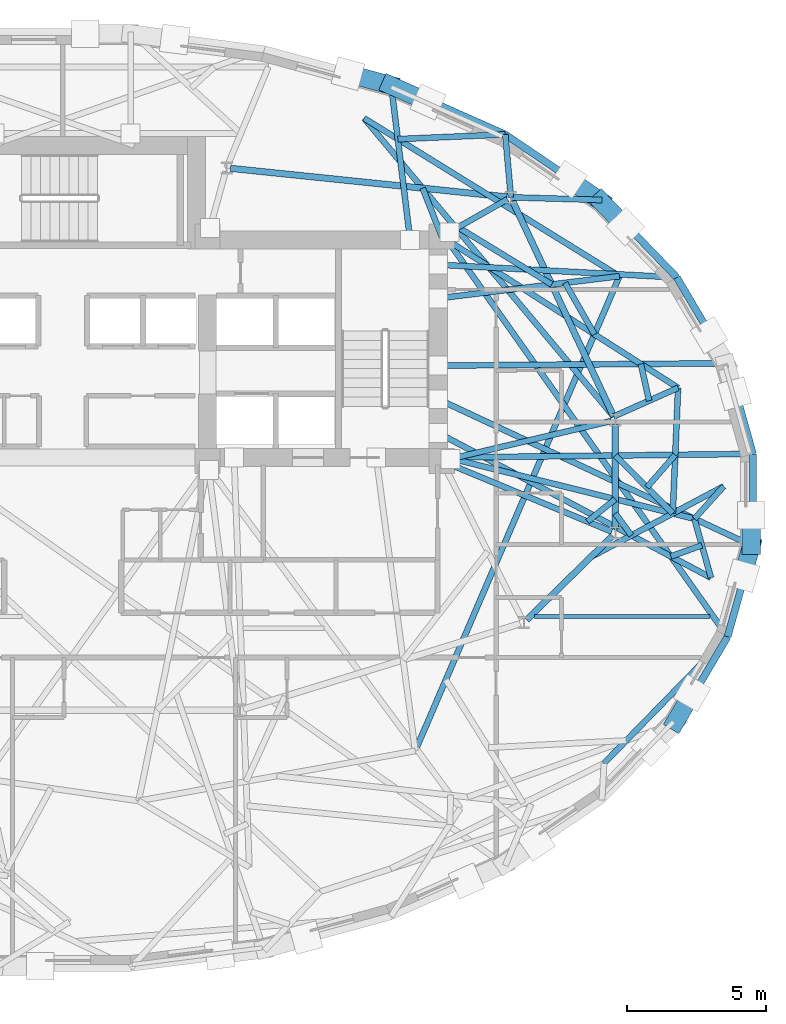
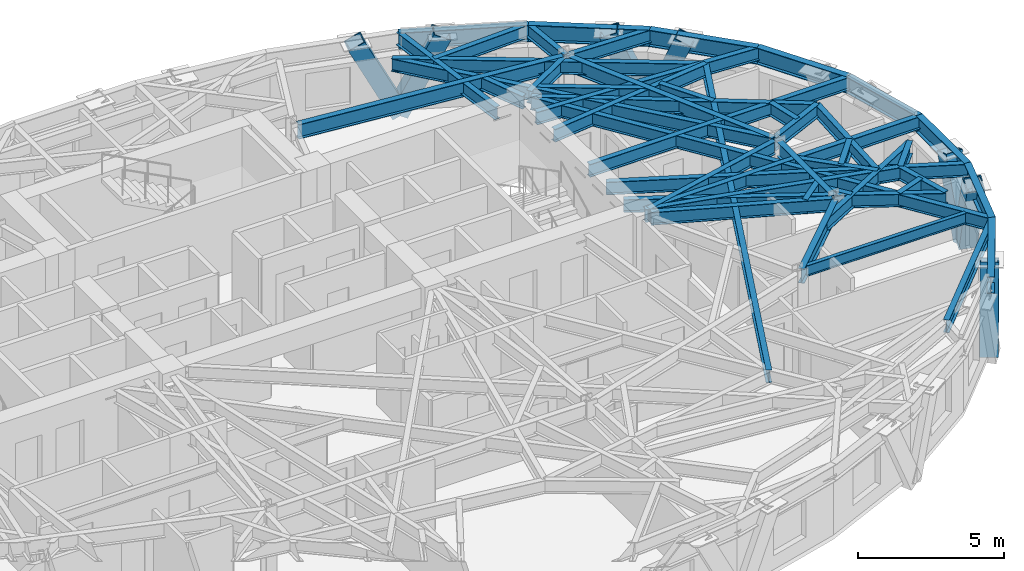
# One storey, part 4 of 15: 47 beams, 7 members.
"""IFC4 building model written with IfcOpenShell, lengths in metres."""

from ifc_helpers import new_model, si_unit, direction, frame, origin, origin_2d, place, context, subcontext, project, spatial, hollow_rectangle, i_section, extrude, material, material_profile, profile_set, type_object, element, save


model = new_model("IFC4")

# Units and contexts
model_context = context("Model", 3, precision=1e-05, world=origin(), true_north=direction((0.0, 1.0)))
body_context = subcontext(model_context, "Body", "Model", "MODEL_VIEW")
ifc_project = project(units=[si_unit("LENGTHUNIT", "METRE"), si_unit("AREAUNIT", "SQUARE_METRE"), si_unit("VOLUMEUNIT", "CUBIC_METRE"), si_unit("PLANEANGLEUNIT", "RADIAN"), si_unit("MASSUNIT", "GRAM", prefix="KILO")], contexts=[model_context])

# Site, building, storey
site_placement = place(None, origin())
site = spatial("IfcSite", under=ifc_project, at=site_placement, CompositionType="ELEMENT")
building_placement = place(site_placement, origin())
building = spatial("IfcBuilding", under=site, at=building_placement, Name="Keldmark Tower", CompositionType="ELEMENT")
storey_placement = place(building_placement, frame((0.0, 0.0, 166.199951171875)))
storey = spatial("IfcBuildingStorey", under=building, at=storey_placement, Name="L45", CompositionType="ELEMENT", Elevation=166.199951171875)

# Beam
ifc_material_1 = material(Name="Steel ASTM A992 Grade 50", Category="steel")
ifc_material_profile_1 = material_profile(ifc_material_1, i_section(OverallWidth=0.153076171875, OverallDepth=0.455078125, WebThickness=0.008056640625, FlangeThickness=0.01318359375, at=origin_2d()), Name="W18X40")
ifc_profile_set_1 = profile_set([ifc_material_profile_1], Name="Steel ASTM A992 Grade 50")
beam_type_1 = type_object("IfcBeamType", Name="Composite Floor Joist W18X40", PredefinedType="JOIST", material=ifc_profile_set_1)
beam_1_placement = place(storey_placement, frame((16.923095703125, -4.179931640625, 2.79248046875), z_axis=(1.0, 0.0, 0.0), x_axis=(0.0, 1.0, 0.0)))
element("IfcBeam", 1, at=beam_1_placement, inside=storey, type_object=beam_type_1, Name="L45 Composite Floor Joist J05", PredefinedType="JOIST", context=body_context, shape_type="SweptSolid", body=[
    extrude(i_section(OverallWidth=0.153076171875, OverallDepth=0.455078125, WebThickness=0.008056640625, FlangeThickness=0.01318359375, at=origin_2d()), origin(), (0.0, 0.0, 1.0), 6.30224609375),
])

# Members
ifc_material_2 = material(Name="Steel ASTM A572 Grade 50", Category="steel")
ifc_material_profile_2 = material_profile(ifc_material_2, hollow_rectangle(XDim=0.64990234375, YDim=0.64990234375, WallThickness=0.0400390625, at=origin_2d()), Name="BOX650X650X40")
ifc_profile_set_2 = profile_set([ifc_material_profile_2], Name="Steel ASTM A572 Grade 50")
member_type = type_object("IfcMemberType", Name="Diagrid Zone 3 Brace BOX650X650X40", PredefinedType="BRACE", material=ifc_profile_set_2)
member_1_placement = place(storey_placement, frame((19.297119140625, 10.736328125, -0.260009765625), z_axis=(0.262394573969, -0.271551200323, 0.92596384009), x_axis=(0.719127207078, 0.694878449832, 0.0)))
element("IfcMember", 2, at=member_1_placement, inside=storey, type_object=member_type, Name="L45 Perimeter Diagrid Brace 02A", PredefinedType="BRACE", context=body_context, shape_type="SweptSolid", body=[
    extrude(hollow_rectangle(XDim=0.64990234375, YDim=0.64990234375, WallThickness=0.0400390625, at=origin_2d()), origin(), (0.0, 0.0, 1.0), 3.412841796875),
])
member_2_placement = place(storey_placement, frame((19.303466796875, 10.7265625, -0.260009765625), z_axis=(-0.334708199095, 0.226883687417, 0.914600576122), x_axis=(-0.56109540076, -0.827751140891, 0.0)))
element("IfcMember", 3, at=member_2_placement, inside=storey, type_object=member_type, Name="L45 Perimeter Diagrid Brace 02B", PredefinedType="BRACE", context=body_context, shape_type="SweptSolid", body=[
    extrude(hollow_rectangle(XDim=0.64990234375, YDim=0.64990234375, WallThickness=0.0400390625, at=origin_2d()), origin(), (0.0, 0.0, 1.0), 3.455322265625),
])
member_3_placement = place(storey_placement, frame((11.74072265625, 14.8916015625, -0.260009765625), z_axis=(0.391037681566, -0.173592799352, 0.903855669678), x_axis=(0.405744700759, 0.913986453842, 0.0)))
element("IfcMember", 4, at=member_3_placement, inside=storey, type_object=member_type, Name="L45 Perimeter Diagrid Brace 03A", PredefinedType="BRACE", context=body_context, shape_type="SweptSolid", body=[
    extrude(hollow_rectangle(XDim=0.64990234375, YDim=0.64990234375, WallThickness=0.0400390625, at=origin_2d()), origin(), (0.0, 0.0, 1.0), 3.496337890625),
])
member_4_placement = place(storey_placement, frame((11.75048828125, 14.88525390625, -0.260009765625), z_axis=(-0.429101150924, 0.11653061412, 0.895707998317), x_axis=(-0.262076941922, -0.965046981506, 0.0)))
element("IfcMember", 5, at=member_4_placement, inside=storey, type_object=member_type, Name="L45 Perimeter Diagrid Brace 03B", PredefinedType="BRACE", context=body_context, shape_type="SweptSolid", body=[
    extrude(hollow_rectangle(XDim=0.64990234375, YDim=0.64990234375, WallThickness=0.0400390625, at=origin_2d()), origin(), (0.0, 0.0, 1.0), 3.528076171875),
])
member_5_placement = place(storey_placement, frame((21.98388671875, -7.956298828125, -0.260009765625), z_axis=(0.17962219143, 0.303875932705, 0.93562561202), x_axis=(-0.860853140724, 0.508853485894, 0.0)))
element("IfcMember", 6, at=member_5_placement, inside=storey, type_object=member_type, Name="L45 Perimeter Diagrid Brace 15B", PredefinedType="BRACE", context=body_context, shape_type="SweptSolid", body=[
    extrude(hollow_rectangle(XDim=0.64990234375, YDim=0.64990234375, WallThickness=0.0400390625, at=origin_2d()), origin(), (0.0, 0.0, 1.0), 3.377685546875),
])
member_6_placement = place(storey_placement, frame((24.70849609375, -1.635986328125, -0.260009765625), z_axis=(-0.090314947271, -0.323197970047, 0.942011827132), x_axis=(0.963103534488, -0.269131161067, 0.0)))
element("IfcMember", 7, at=member_6_placement, inside=storey, type_object=member_type, Name="L45 Perimeter Diagrid Brace 16A", PredefinedType="BRACE", context=body_context, shape_type="SweptSolid", body=[
    extrude(hollow_rectangle(XDim=0.64990234375, YDim=0.64990234375, WallThickness=0.0400390625, at=origin_2d()), origin(), (0.0, 0.0, 1.0), 3.354736328125),
])
member_7_placement = place(storey_placement, frame((24.706298828125, -1.647705078125, -0.260009765625), z_axis=(0.0, 0.329349470628, 0.944208094753), x_axis=(-1.0, 0.0, 0.0)))
element("IfcMember", 8, at=member_7_placement, inside=storey, type_object=member_type, Name="L45 Perimeter Diagrid Brace 16B", PredefinedType="BRACE", context=body_context, shape_type="SweptSolid", body=[
    extrude(hollow_rectangle(XDim=0.64990234375, YDim=0.64990234375, WallThickness=0.0400390625, at=origin_2d()), origin(), (0.0, 0.0, 1.0), 3.346923828125),
])

# Beams
ifc_material_3 = material(Name="Steel ASTM A992 Grade 50", Category="steel")
ifc_material_profile_3 = material_profile(ifc_material_3, i_section(OverallWidth=0.22900390625, OverallDepth=0.612060546875, WebThickness=0.011962890625, FlangeThickness=0.01953125, at=origin_2d()), Name="W24X84")
ifc_profile_set_3 = profile_set([ifc_material_profile_3], Name="Steel ASTM A992 Grade 50")
beam_type_2 = type_object("IfcBeamType", Name="Primary Floor Girder W24X84", PredefinedType="BEAM", material=ifc_profile_set_3)
beam_2_placement = place(storey_placement, frame((19.76904296875, 2.99609375, 2.714111328125), z_axis=(-0.424526823774, 0.905415360979, 0.0), x_axis=(-0.905415360979, -0.424526823774, 0.0)))
element("IfcBeam", 9, at=beam_2_placement, inside=storey, type_object=beam_type_2, Name="L45 Floor Ring Girder FG-R01", PredefinedType="BEAM", context=body_context, shape_type="SweptSolid", body=[
    extrude(i_section(OverallWidth=0.22900390625, OverallDepth=0.612060546875, WebThickness=0.011962890625, FlangeThickness=0.01953125, at=origin_2d()), origin(), (0.0, 0.0, 1.0), 8.54638671875),
])
beam_3_placement = place(storey_placement, frame((15.942138671875, 10.87548828125, 2.714111328125), z_axis=(-0.994702930931, 0.102791435423, 0.0), x_axis=(-0.102791435423, -0.994702930931, 0.0)))
element("IfcBeam", 10, at=beam_3_placement, inside=storey, type_object=beam_type_2, Name="L45 Floor Ring Girder FG-R02", PredefinedType="BEAM", context=body_context, shape_type="SweptSolid", body=[
    extrude(i_section(OverallWidth=0.22900390625, OverallDepth=0.612060546875, WebThickness=0.011962890625, FlangeThickness=0.01953125, at=origin_2d()), origin(), (0.0, 0.0, 1.0), 9.975341796875),
])
beam_4_placement = place(storey_placement, frame((16.646728515625, -4.300537109375, 2.714111328125), z_axis=(0.714964509815, 0.699160746684, 0.0), x_axis=(-0.699160746684, 0.714964509815, 0.0)))
element("IfcBeam", 11, at=beam_4_placement, inside=storey, type_object=beam_type_2, Name="L45 Floor Ring Girder FG-R11", PredefinedType="BEAM", context=body_context, shape_type="SweptSolid", body=[
    extrude(i_section(OverallWidth=0.22900390625, OverallDepth=0.612060546875, WebThickness=0.011962890625, FlangeThickness=0.01953125, at=origin_2d()), origin(), (0.0, 0.0, 1.0), 4.31005859375),
])
beam_5_placement = place(storey_placement, frame((19.828369140625, -1.04931640625, 2.714111328125), z_axis=(0.0, 1.0, 0.0), x_axis=(-1.0, 0.0, 0.0)))
element("IfcBeam", 12, at=beam_5_placement, inside=storey, type_object=beam_type_2, Name="L45 Floor Ring Girder FG-R12", PredefinedType="BEAM", context=body_context, shape_type="SweptSolid", body=[
    extrude(i_section(OverallWidth=0.22900390625, OverallDepth=0.612060546875, WebThickness=0.011962890625, FlangeThickness=0.01953125, at=origin_2d()), origin(), (0.0, 0.0, 1.0), 3.778564453125),
])
ifc_material_4 = material(Name="Steel ASTM A992 Grade 50", Category="steel")
ifc_material_profile_4 = material_profile(ifc_material_4, i_section(OverallWidth=0.2099609375, OverallDepth=0.537109375, WebThickness=0.010986328125, FlangeThickness=0.017333984375, at=origin_2d()), Name="W21X68")
ifc_profile_set_4 = profile_set([ifc_material_profile_4], Name="Steel ASTM A992 Grade 50")
beam_type_3 = type_object("IfcBeamType", Name="Radial Tie Girder W21X68", PredefinedType="BEAM", material=ifc_profile_set_4)
beam_6_placement = place(storey_placement, frame((19.692138671875, 2.837158203125, 2.75146484375), z_axis=(-0.973280062348, -0.229621253887, 0.0), x_axis=(0.229621253887, -0.973280062348, 0.0)))
element("IfcBeam", 13, at=beam_6_placement, inside=storey, type_object=beam_type_3, Name="L45 Floor Radial Girder FG-C01", PredefinedType="BEAM", context=body_context, shape_type="SweptSolid", body=[
    extrude(i_section(OverallWidth=0.2099609375, OverallDepth=0.537109375, WebThickness=0.010986328125, FlangeThickness=0.017333984375, at=origin_2d()), origin(), (0.0, 0.0, 1.0), 5.939208984375),
])
beam_7_placement = place(storey_placement, frame((15.959716796875, 10.791748046875, 2.75146484375), z_axis=(-0.86929527307, -0.494293160197, 0.0), x_axis=(0.494293160197, -0.86929527307, 0.0)))
element("IfcBeam", 14, at=beam_7_placement, inside=storey, type_object=beam_type_3, Name="L45 Floor Radial Girder FG-C02", PredefinedType="BEAM", context=body_context, shape_type="SweptSolid", body=[
    extrude(i_section(OverallWidth=0.2099609375, OverallDepth=0.537109375, WebThickness=0.010986328125, FlangeThickness=0.017333984375, at=origin_2d()), origin(), (0.0, 0.0, 1.0), 2.39453125),
])
beam_8_placement = place(storey_placement, frame((19.69921875, -1.135498046875, 2.75146484375), z_axis=(-0.923393794893, 0.383854008124, 0.0), x_axis=(-0.383854008124, -0.923393794893, 0.0)))
element("IfcBeam", 15, at=beam_8_placement, inside=storey, type_object=beam_type_3, Name="L45 Floor Radial Girder FG-C12", PredefinedType="BEAM", context=body_context, shape_type="SweptSolid", body=[
    extrude(i_section(OverallWidth=0.2099609375, OverallDepth=0.537109375, WebThickness=0.010986328125, FlangeThickness=0.017333984375, at=origin_2d()), origin(), (0.0, 0.0, 1.0), 6.28515625),
])
beam_9_placement = place(storey_placement, frame((18.82861328125, -0.773681640625, 2.75146484375), z_axis=(0.779288200564, 0.626665700722, 0.0), x_axis=(-0.626665700722, 0.779288200564, 0.0)))
element("IfcBeam", 16, at=beam_9_placement, inside=storey, type_object=beam_type_3, Name="L45 Framing Pin Header PH-002", PredefinedType="BEAM", context=body_context, shape_type="SweptSolid", body=[
    extrude(i_section(OverallWidth=0.2099609375, OverallDepth=0.537109375, WebThickness=0.010986328125, FlangeThickness=0.017333984375, at=origin_2d()), origin(), (0.0, 0.0, 1.0), 1.282958984375),
])
beam_10_placement = place(storey_placement, frame((13.800048828125, 1.52490234375, 2.75146484375), z_axis=(0.970610768192, -0.240654808118, 0.0), x_axis=(0.240654808118, 0.970610768192, 0.0)))
element("IfcBeam", 17, at=beam_10_placement, inside=storey, type_object=beam_type_3, Name="L45 Sub-Ring Step Girder STP1-M12", PredefinedType="BEAM", context=body_context, shape_type="SweptSolid", body=[
    extrude(i_section(OverallWidth=0.2099609375, OverallDepth=0.537109375, WebThickness=0.010986328125, FlangeThickness=0.017333984375, at=origin_2d()), origin(), (0.0, 0.0, 1.0), 9.134521484375),
])
beam_11_placement = place(storey_placement, frame((14.1904296875, 9.78564453125, 2.75146484375), z_axis=(0.853199007527, -0.521585518927, 0.0), x_axis=(0.521585518927, 0.853199007527, 0.0)))
element("IfcBeam", 18, at=beam_11_placement, inside=storey, type_object=beam_type_3, Name="L45 Framing Pin Header PH-003", PredefinedType="BEAM", context=body_context, shape_type="SweptSolid", body=[
    extrude(i_section(OverallWidth=0.2099609375, OverallDepth=0.537109375, WebThickness=0.010986328125, FlangeThickness=0.017333984375, at=origin_2d()), origin(), (0.0, 0.0, 1.0), 3.93505859375),
])
beam_12_placement = place(storey_placement, frame((13.47509765625, 7.235595703125, 2.75146484375), z_axis=(0.992620947645, 0.12125862566, 0.0), x_axis=(-0.12125862566, 0.992620947645, 0.0)))
element("IfcBeam", 19, at=beam_12_placement, inside=storey, type_object=beam_type_3, Name="L45 Sub-Ring Step Girder STP2-M01", PredefinedType="BEAM", context=body_context, shape_type="SweptSolid", body=[
    extrude(i_section(OverallWidth=0.2099609375, OverallDepth=0.537109375, WebThickness=0.010986328125, FlangeThickness=0.017333984375, at=origin_2d()), origin(), (0.0, 0.0, 1.0), 6.549560546875),
])
beam_13_placement = place(storey_placement, frame((13.60009765625, 9.449951171875, 2.75146484375), z_axis=(-0.367288459478, 0.930107083907, 0.0), x_axis=(-0.930107083907, -0.367288459478, 0.0)))
element("IfcBeam", 20, at=beam_13_placement, inside=storey, type_object=beam_type_3, Name="L45 Framing Pin Header PH-004", PredefinedType="BEAM", context=body_context, shape_type="SweptSolid", body=[
    extrude(i_section(OverallWidth=0.2099609375, OverallDepth=0.537109375, WebThickness=0.010986328125, FlangeThickness=0.017333984375, at=origin_2d()), origin(), (0.0, 0.0, 1.0), 1.869140625),
])
beam_14_placement = place(storey_placement, frame((19.76904296875, 2.99609375, 2.75146484375), z_axis=(-0.641759384886, 0.766906051555, 0.0), x_axis=(-0.766906051555, -0.641759384886, 0.0)))
element("IfcBeam", 21, at=beam_14_placement, inside=storey, type_object=beam_type_3, Name="L45 Sub-Ring Step Girder STP2-M02", PredefinedType="BEAM", context=body_context, shape_type="SweptSolid", body=[
    extrude(i_section(OverallWidth=0.2099609375, OverallDepth=0.537109375, WebThickness=0.010986328125, FlangeThickness=0.017333984375, at=origin_2d()), origin(), (0.0, 0.0, 1.0), 13.954345703125),
])
beam_15_placement = place(storey_placement, frame((19.976318359375, 8.02978515625, 2.75146484375), z_axis=(-0.850436056083, 0.526078430003, 0.0), x_axis=(-0.526078430003, -0.850436056083, 0.0)))
element("IfcBeam", 22, at=beam_15_placement, inside=storey, type_object=beam_type_3, Name="L45 Perimeter Collector Ring Beam CRG2-M01", PredefinedType="BEAM", context=body_context, shape_type="SweptSolid", body=[
    extrude(i_section(OverallWidth=0.2099609375, OverallDepth=0.537109375, WebThickness=0.010986328125, FlangeThickness=0.017333984375, at=origin_2d()), origin(), (0.0, 0.0, 1.0), 10.77392578125),
])
beam_16_placement = place(storey_placement, frame((12.649658203125, -9.0029296875, 2.75146484375), z_axis=(0.395145761568, 0.918618433908, 0.0), x_axis=(-0.918618433908, 0.395145761568, 0.0)))
element("IfcBeam", 23, at=beam_16_placement, inside=storey, type_object=beam_type_3, Name="L45 Perimeter Collector Ring Beam CRG2-M11", PredefinedType="BEAM", context=body_context, shape_type="SweptSolid", body=[
    extrude(i_section(OverallWidth=0.2099609375, OverallDepth=0.537109375, WebThickness=0.010986328125, FlangeThickness=0.017333984375, at=origin_2d()), origin(), (0.0, 0.0, 1.0), 18.541748046875),
])
beam_17_placement = place(storey_placement, frame((19.828369140625, 1.595703125, 2.75146484375), z_axis=(0.704557619254, -0.70964678619, 0.0), x_axis=(0.70964678619, 0.704557619254, 0.0)))
element("IfcBeam", 24, at=beam_17_placement, inside=storey, type_object=beam_type_3, Name="L45 Framing Pin Header PH-009", PredefinedType="BEAM", context=body_context, shape_type="SweptSolid", body=[
    extrude(i_section(OverallWidth=0.2099609375, OverallDepth=0.537109375, WebThickness=0.010986328125, FlangeThickness=0.017333984375, at=origin_2d()), origin(), (0.0, 0.0, 1.0), 2.92626953125),
])
beam_18_placement = place(storey_placement, frame((18.9580078125, -2.04052734375, 2.75146484375), z_axis=(0.882900362005, 0.469560380326, 0.0), x_axis=(-0.469560380326, 0.882900362005, 0.0)))
element("IfcBeam", 25, at=beam_18_placement, inside=storey, type_object=beam_type_3, Name="L45 Intermediate Radial Step Girder RT-01M", PredefinedType="BEAM", context=body_context, shape_type="SweptSolid", body=[
    extrude(i_section(OverallWidth=0.2099609375, OverallDepth=0.537109375, WebThickness=0.010986328125, FlangeThickness=0.017333984375, at=origin_2d()), origin(), (0.0, 0.0, 1.0), 5.38916015625),
])
beam_19_placement = place(storey_placement, frame((22.666015625, -0.67333984375, 2.75146484375), z_axis=(0.670039907955, 0.742325078216, 0.0), x_axis=(-0.742325078216, 0.670039907955, 0.0)))
element("IfcBeam", 26, at=beam_19_placement, inside=storey, type_object=beam_type_3, Name="L45 Local Collector Chord RT-01C", PredefinedType="BEAM", context=body_context, shape_type="SweptSolid", body=[
    extrude(i_section(OverallWidth=0.2099609375, OverallDepth=0.537109375, WebThickness=0.010986328125, FlangeThickness=0.017333984375, at=origin_2d()), origin(), (0.0, 0.0, 1.0), 1.567138671875),
])
beam_20_placement = place(storey_placement, frame((18.02587890625, 7.79150390625, 2.75146484375), z_axis=(0.495879140901, -0.868391546262, 0.0), x_axis=(0.868391546262, 0.495879140901, 0.0)))
element("IfcBeam", 27, at=beam_20_placement, inside=storey, type_object=beam_type_3, Name="L45 Framing Pin Header PH-010", PredefinedType="BEAM", context=body_context, shape_type="SweptSolid", body=[
    extrude(i_section(OverallWidth=0.2099609375, OverallDepth=0.537109375, WebThickness=0.010986328125, FlangeThickness=0.017333984375, at=origin_2d()), origin(), (0.0, 0.0, 1.0), 2.12548828125),
])
beam_21_placement = place(storey_placement, frame((13.800048828125, 9.324951171875, 2.75146484375), z_axis=(0.842254713998, -0.539079768447, 0.0), x_axis=(0.539079768447, 0.842254713998, 0.0)))
element("IfcBeam", 28, at=beam_21_placement, inside=storey, type_object=beam_type_3, Name="L45 Intermediate Radial Step Girder RT-02M", PredefinedType="BEAM", context=body_context, shape_type="SweptSolid", body=[
    extrude(i_section(OverallWidth=0.2099609375, OverallDepth=0.537109375, WebThickness=0.010986328125, FlangeThickness=0.017333984375, at=origin_2d()), origin(), (0.0, 0.0, 1.0), 9.83154296875),
])
beam_22_placement = place(storey_placement, frame((19.76904296875, 2.99609375, 2.75146484375), z_axis=(0.913612501714, 0.406586026214, 0.0), x_axis=(-0.406586026214, 0.913612501714, 0.0)))
element("IfcBeam", 29, at=beam_22_placement, inside=storey, type_object=beam_type_3, Name="L45 Local Collector Chord RT-02C", PredefinedType="BEAM", context=body_context, shape_type="SweptSolid", body=[
    extrude(i_section(OverallWidth=0.2099609375, OverallDepth=0.537109375, WebThickness=0.010986328125, FlangeThickness=0.017333984375, at=origin_2d()), origin(), (0.0, 0.0, 1.0), 2.5302734375),
])
beam_23_placement = place(storey_placement, frame((21.04052734375, 3.56201171875, 2.75146484375), z_axis=(-0.219168228512, 0.975687084885, 0.0), x_axis=(-0.975687084885, -0.219168228512, 0.0)))
element("IfcBeam", 30, at=beam_23_placement, inside=storey, type_object=beam_type_3, Name="L45 Framing Pin Header PH-011", PredefinedType="BEAM", context=body_context, shape_type="SweptSolid", body=[
    extrude(i_section(OverallWidth=0.2099609375, OverallDepth=0.537109375, WebThickness=0.010986328125, FlangeThickness=0.017333984375, at=origin_2d()), origin(), (0.0, 0.0, 1.0), 1.351318359375),
])
beam_24_placement = place(storey_placement, frame((13.47509765625, 4.8212890625, 2.75146484375), z_axis=(0.999966899663, 0.008136312371, 0.0), x_axis=(-0.008136312371, 0.999966899663, 0.0)))
element("IfcBeam", 31, at=beam_24_placement, inside=storey, type_object=beam_type_3, Name="L45 Perimeter Radial Tie Girder RT-02", PredefinedType="BEAM", context=body_context, shape_type="SweptSolid", body=[
    extrude(i_section(OverallWidth=0.2099609375, OverallDepth=0.537109375, WebThickness=0.010986328125, FlangeThickness=0.017333984375, at=origin_2d()), origin(), (0.0, 0.0, 1.0), 10.382080078125),
])
beam_25_placement = place(storey_placement, frame((13.47509765625, 8.44287109375, 2.75146484375), z_axis=(0.998570711465, -0.053446554661, 0.0), x_axis=(0.053446554661, 0.998570711465, 0.0)))
element("IfcBeam", 32, at=beam_25_placement, inside=storey, type_object=beam_type_3, Name="L45 Perimeter Radial Tie Girder RT-03", PredefinedType="BEAM", context=body_context, shape_type="SweptSolid", body=[
    extrude(i_section(OverallWidth=0.2099609375, OverallDepth=0.537109375, WebThickness=0.010986328125, FlangeThickness=0.017333984375, at=origin_2d()), origin(), (0.0, 0.0, 1.0), 8.573974609375),
])
beam_26_placement = place(storey_placement, frame((16.08154296875, 10.861083984375, 2.75146484375), z_axis=(0.999564975012, -0.029493401444, 0.0), x_axis=(0.029493401444, 0.999564975012, 0.0)))
element("IfcBeam", 33, at=beam_26_placement, inside=storey, type_object=beam_type_3, Name="L45 Perimeter Column Bracket RT-04", PredefinedType="BEAM", context=body_context, shape_type="SweptSolid", body=[
    extrude(i_section(OverallWidth=0.2099609375, OverallDepth=0.537109375, WebThickness=0.010986328125, FlangeThickness=0.017333984375, at=origin_2d()), origin(), (0.0, 0.0, 1.0), 3.269775390625),
])
beam_27_placement = place(storey_placement, frame((16.08154296875, 10.861083984375, 2.75146484375), z_axis=(-0.089048441045, 0.996027296387, 0.0), x_axis=(-0.996027296387, -0.089048441045, 0.0)))
element("IfcBeam", 34, at=beam_27_placement, inside=storey, type_object=beam_type_3, Name="L45 Perimeter Column Bracket RT-05", PredefinedType="BEAM", context=body_context, shape_type="SweptSolid", body=[
    extrude(i_section(OverallWidth=0.2099609375, OverallDepth=0.537109375, WebThickness=0.010986328125, FlangeThickness=0.017333984375, at=origin_2d()), origin(), (0.0, 0.0, 1.0), 2.2646484375),
])
beam_28_placement = place(storey_placement, frame((15.8798828125, 13.11669921875, 2.75146484375), z_axis=(-0.999064017094, -0.043256094929, 0.0), x_axis=(0.043256094929, -0.999064017094, 0.0)))
element("IfcBeam", 35, at=beam_28_placement, inside=storey, type_object=beam_type_3, Name="L45 Framing Pin Header PH-012", PredefinedType="BEAM", context=body_context, shape_type="SweptSolid", body=[
    extrude(i_section(OverallWidth=0.2099609375, OverallDepth=0.537109375, WebThickness=0.010986328125, FlangeThickness=0.017333984375, at=origin_2d()), origin(), (0.0, 0.0, 1.0), 3.860595703125),
])
beam_29_placement = place(storey_placement, frame((12.468017578125, 9.324951171875, 2.75146484375), z_axis=(-0.121871902014, 0.99254583748, 0.0), x_axis=(-0.99254583748, -0.121871902014, 0.0)))
element("IfcBeam", 36, at=beam_29_placement, inside=storey, type_object=beam_type_3, Name="L45 Perimeter Radial Tie Girder RT-06", PredefinedType="BEAM", context=body_context, shape_type="SweptSolid", body=[
    extrude(i_section(OverallWidth=0.2099609375, OverallDepth=0.537109375, WebThickness=0.010986328125, FlangeThickness=0.017333984375, at=origin_2d()), origin(), (0.0, 0.0, 1.0), 5.6552734375),
])
beam_30_placement = place(storey_placement, frame((19.828369140625, -0.482421875, 2.75146484375), z_axis=(0.588781022217, -0.808292588038, 0.0), x_axis=(0.808292588038, 0.588781022217, 0.0)))
element("IfcBeam", 37, at=beam_30_placement, inside=storey, type_object=beam_type_3, Name="L45 Framing Pin Header PH-034", PredefinedType="BEAM", context=body_context, shape_type="SweptSolid", body=[
    extrude(i_section(OverallWidth=0.2099609375, OverallDepth=0.537109375, WebThickness=0.010986328125, FlangeThickness=0.017333984375, at=origin_2d()), origin(), (0.0, 0.0, 1.0), 0.9765625),
])
beam_31_placement = place(storey_placement, frame((13.47509765625, 2.406982421875, 2.75146484375), z_axis=(0.883208416971, -0.468980694904, 0.0), x_axis=(0.468980694904, 0.883208416971, 0.0)))
element("IfcBeam", 38, at=beam_31_placement, inside=storey, type_object=beam_type_3, Name="L45 Intermediate Radial Step Girder RT-31M", PredefinedType="BEAM", context=body_context, shape_type="SweptSolid", body=[
    extrude(i_section(OverallWidth=0.2099609375, OverallDepth=0.537109375, WebThickness=0.010986328125, FlangeThickness=0.017333984375, at=origin_2d()), origin(), (0.0, 0.0, 1.0), 11.08056640625),
])
beam_32_placement = place(storey_placement, frame((22.666015625, -0.67333984375, 2.75146484375), z_axis=(0.2708613528, -0.962618370674, 0.0), x_axis=(0.962618370674, 0.2708613528, 0.0)))
element("IfcBeam", 39, at=beam_32_placement, inside=storey, type_object=beam_type_3, Name="L45 Local Collector Chord RT-31C", PredefinedType="BEAM", context=body_context, shape_type="SweptSolid", body=[
    extrude(i_section(OverallWidth=0.2099609375, OverallDepth=0.537109375, WebThickness=0.010986328125, FlangeThickness=0.017333984375, at=origin_2d()), origin(), (0.0, 0.0, 1.0), 2.198486328125),
])
beam_33_placement = place(storey_placement, frame((22.933837890625, -1.62548828125, 2.75146484375), z_axis=(-0.941362916354, -0.337395701979, 0.0), x_axis=(0.337395701979, -0.941362916354, 0.0)))
element("IfcBeam", 40, at=beam_33_placement, inside=storey, type_object=beam_type_3, Name="L45 Framing Pin Header PH-035", PredefinedType="BEAM", context=body_context, shape_type="SweptSolid", body=[
    extrude(i_section(OverallWidth=0.2099609375, OverallDepth=0.537109375, WebThickness=0.010986328125, FlangeThickness=0.017333984375, at=origin_2d()), origin(), (0.0, 0.0, 1.0), 1.182373046875),
])
beam_34_placement = place(storey_placement, frame((13.800048828125, 9.324951171875, 2.75146484375), z_axis=(0.577130311447, -0.816652070107, 0.0), x_axis=(0.816652070107, 0.577130311447, 0.0)))
element("IfcBeam", 41, at=beam_34_placement, inside=storey, type_object=beam_type_3, Name="L45 Perimeter Radial Tie Girder RT-31", PredefinedType="BEAM", context=body_context, shape_type="SweptSolid", body=[
    extrude(i_section(OverallWidth=0.2099609375, OverallDepth=0.537109375, WebThickness=0.010986328125, FlangeThickness=0.017333984375, at=origin_2d()), origin(), (0.0, 0.0, 1.0), 17.42578125),
])
beam_35_placement = place(storey_placement, frame((13.47509765625, 3.6142578125, 2.75146484375), z_axis=(0.906223684344, -0.422798573713, 0.0), x_axis=(0.422798573713, 0.906223684344, 0.0)))
element("IfcBeam", 42, at=beam_35_placement, inside=storey, type_object=beam_type_3, Name="L45 Perimeter Radial Tie Girder RT-32", PredefinedType="BEAM", context=body_context, shape_type="SweptSolid", body=[
    extrude(i_section(OverallWidth=0.2099609375, OverallDepth=0.537109375, WebThickness=0.010986328125, FlangeThickness=0.017333984375, at=origin_2d()), origin(), (0.0, 0.0, 1.0), 12.45947265625),
])
beam_36_placement = place(storey_placement, frame((21.89013671875, -0.48095703125, 2.75146484375), z_axis=(0.042279023778, 0.999105842315, 0.0), x_axis=(-0.999105842315, 0.042279023778, 0.0)))
element("IfcBeam", 43, at=beam_36_placement, inside=storey, type_object=beam_type_3, Name="L45 Straddling Support Chord RT-01RB", PredefinedType="BEAM", context=body_context, shape_type="SweptSolid", body=[
    extrude(i_section(OverallWidth=0.2099609375, OverallDepth=0.537109375, WebThickness=0.010986328125, FlangeThickness=0.017333984375, at=origin_2d()), origin(), (0.0, 0.0, 1.0), 4.510009765625),
])
beam_37_placement = place(storey_placement, frame((20.96240234375, 0.45361328125, 2.75146484375), z_axis=(0.656772065151, 0.754089155496, 0.0), x_axis=(-0.754089155496, 0.656772065151, 0.0)))
element("IfcBeam", 44, at=beam_37_placement, inside=storey, type_object=beam_type_3, Name="L45 Framing Pin Header PH-036", PredefinedType="BEAM", context=body_context, shape_type="SweptSolid", body=[
    extrude(i_section(OverallWidth=0.2099609375, OverallDepth=0.537109375, WebThickness=0.010986328125, FlangeThickness=0.017333984375, at=origin_2d()), origin(), (0.0, 0.0, 1.0), 1.5478515625),
])
beam_38_placement = place(storey_placement, frame((13.800048828125, 1.52490234375, 2.75146484375), z_axis=(0.999931178376, 0.011731944052, 0.0), x_axis=(-0.011731944052, 0.999931178376, 0.0)))
element("IfcBeam", 45, at=beam_38_placement, inside=storey, type_object=beam_type_3, Name="L45 Perimeter Radial Tie Girder RT-01R", PredefinedType="BEAM", context=body_context, shape_type="SweptSolid", body=[
    extrude(i_section(OverallWidth=0.2099609375, OverallDepth=0.537109375, WebThickness=0.010986328125, FlangeThickness=0.017333984375, at=origin_2d()), origin(), (0.0, 0.0, 1.0), 10.966796875),
])
beam_39_placement = place(storey_placement, frame((19.422119140625, -9.448486328125, 2.75146484375), z_axis=(0.698556884714, 0.715554525399, 0.0), x_axis=(-0.715554525399, 0.698556884714, 0.0)))
element("IfcBeam", 46, at=beam_39_placement, inside=storey, type_object=beam_type_3, Name="L45 Straddling Support Chord RT-30RB", PredefinedType="BEAM", context=body_context, shape_type="SweptSolid", body=[
    extrude(i_section(OverallWidth=0.2099609375, OverallDepth=0.537109375, WebThickness=0.010986328125, FlangeThickness=0.017333984375, at=origin_2d()), origin(), (0.0, 0.0, 1.0), 6.3486328125),
])
ifc_material_5 = material(Name="Steel ASTM A992 Grade 50", Category="steel")
ifc_material_profile_5 = material_profile(ifc_material_5, i_section(OverallWidth=0.256103515625, OverallDepth=0.693115234375, WebThickness=0.014404296875, FlangeThickness=0.023681640625, at=origin_2d()), Name="W27X114")
ifc_profile_set_5 = profile_set([ifc_material_profile_5], Name="Steel ASTM A992 Grade 50")
beam_type_4 = type_object("IfcBeamType", Name="Spandrel Ring Beam W27X114", PredefinedType="SPANDREL", material=ifc_profile_set_5)
beam_40_placement = place(storey_placement, frame((24.76611328125, 1.653564453125, 2.673583984375), z_axis=(-0.269235699479, 0.963074315993, 0.0), x_axis=(-0.963074315993, -0.269235699479, 0.0)))
element("IfcBeam", 47, at=beam_40_placement, inside=storey, type_object=beam_type_4, Name="L45 Perimeter Spandrel Ring Beam SRB-01", PredefinedType="SPANDREL", context=body_context, shape_type="SweptSolid", body=[
    extrude(i_section(OverallWidth=0.256103515625, OverallDepth=0.693115234375, WebThickness=0.014404296875, FlangeThickness=0.023681640625, at=origin_2d()), origin(), (0.0, 0.0, 1.0), 3.376953125),
])
beam_41_placement = place(storey_placement, frame((23.85693359375, 4.90576171875, 2.673583984375), z_axis=(-0.508883387051, 0.860835465338, 0.0), x_axis=(-0.860835465338, -0.508883387051, 0.0)))
element("IfcBeam", 48, at=beam_41_placement, inside=storey, type_object=beam_type_4, Name="L45 Perimeter Spandrel Ring Beam SRB-02", PredefinedType="SPANDREL", context=body_context, shape_type="SweptSolid", body=[
    extrude(i_section(OverallWidth=0.256103515625, OverallDepth=0.693115234375, WebThickness=0.014404296875, FlangeThickness=0.023681640625, at=origin_2d()), origin(), (0.0, 0.0, 1.0), 3.57666015625),
])
beam_42_placement = place(storey_placement, frame((22.036865234375, 7.984619140625, 2.673583984375), z_axis=(-0.694975307772, 0.719033602544, 0.0), x_axis=(-0.719033602544, -0.694975307772, 0.0)))
element("IfcBeam", 49, at=beam_42_placement, inside=storey, type_object=beam_type_4, Name="L45 Perimeter Spandrel Ring Beam SRB-03", PredefinedType="SPANDREL", context=body_context, shape_type="SweptSolid", body=[
    extrude(i_section(OverallWidth=0.256103515625, OverallDepth=0.693115234375, WebThickness=0.014404296875, FlangeThickness=0.023681640625, at=origin_2d()), origin(), (0.0, 0.0, 1.0), 3.866455078125),
])
beam_43_placement = place(storey_placement, frame((19.349853515625, 10.7646484375, 2.673583984375), z_axis=(-0.827760762475, 0.561081206338, 0.0), x_axis=(-0.561081206338, -0.827760762475, 0.0)))
element("IfcBeam", 50, at=beam_43_placement, inside=storey, type_object=beam_type_4, Name="L45 Perimeter Spandrel Ring Beam SRB-04", PredefinedType="SPANDREL", context=body_context, shape_type="SweptSolid", body=[
    extrude(i_section(OverallWidth=0.256103515625, OverallDepth=0.693115234375, WebThickness=0.014404296875, FlangeThickness=0.023681640625, at=origin_2d()), origin(), (0.0, 0.0, 1.0), 4.19189453125),
])
beam_44_placement = place(storey_placement, frame((15.8798828125, 13.11669921875, 2.673583984375), z_axis=(-0.913928177397, 0.405875949719, 0.0), x_axis=(-0.405875949719, -0.913928177397, 0.0)))
element("IfcBeam", 51, at=beam_44_placement, inside=storey, type_object=beam_type_4, Name="L45 Perimeter Spandrel Ring Beam SRB-05", PredefinedType="SPANDREL", context=body_context, shape_type="SweptSolid", body=[
    extrude(i_section(OverallWidth=0.256103515625, OverallDepth=0.693115234375, WebThickness=0.014404296875, FlangeThickness=0.023681640625, at=origin_2d()), origin(), (0.0, 0.0, 1.0), 4.4873046875),
])
beam_45_placement = place(storey_placement, frame((22.036865234375, -7.984619140625, 2.673583984375), z_axis=(0.508883387051, 0.860835465338, 0.0), x_axis=(-0.860835465338, 0.508883387051, 0.0)))
element("IfcBeam", 52, at=beam_45_placement, inside=storey, type_object=beam_type_4, Name="L45 Perimeter Spandrel Ring Beam SRB-30", PredefinedType="SPANDREL", context=body_context, shape_type="SweptSolid", body=[
    extrude(i_section(OverallWidth=0.256103515625, OverallDepth=0.693115234375, WebThickness=0.014404296875, FlangeThickness=0.023681640625, at=origin_2d()), origin(), (0.0, 0.0, 1.0), 3.57666015625),
])
beam_46_placement = place(storey_placement, frame((23.85693359375, -4.90576171875, 2.673583984375), z_axis=(0.269235699479, 0.963074315993, 0.0), x_axis=(-0.963074315993, 0.269235699479, 0.0)))
element("IfcBeam", 53, at=beam_46_placement, inside=storey, type_object=beam_type_4, Name="L45 Perimeter Spandrel Ring Beam SRB-31", PredefinedType="SPANDREL", context=body_context, shape_type="SweptSolid", body=[
    extrude(i_section(OverallWidth=0.256103515625, OverallDepth=0.693115234375, WebThickness=0.014404296875, FlangeThickness=0.023681640625, at=origin_2d()), origin(), (0.0, 0.0, 1.0), 3.376953125),
])
beam_47_placement = place(storey_placement, frame((24.76611328125, -1.653564453125, 2.673583984375), z_axis=(0.0, 1.0, 0.0), x_axis=(-1.0, 0.0, 0.0)))
element("IfcBeam", 54, at=beam_47_placement, inside=storey, type_object=beam_type_4, Name="L45 Perimeter Spandrel Ring Beam SRB-32", PredefinedType="SPANDREL", context=body_context, shape_type="SweptSolid", body=[
    extrude(i_section(OverallWidth=0.256103515625, OverallDepth=0.693115234375, WebThickness=0.014404296875, FlangeThickness=0.023681640625, at=origin_2d()), origin(), (0.0, 0.0, 1.0), 3.30712890625),
])

save(model, "model.ifc")
